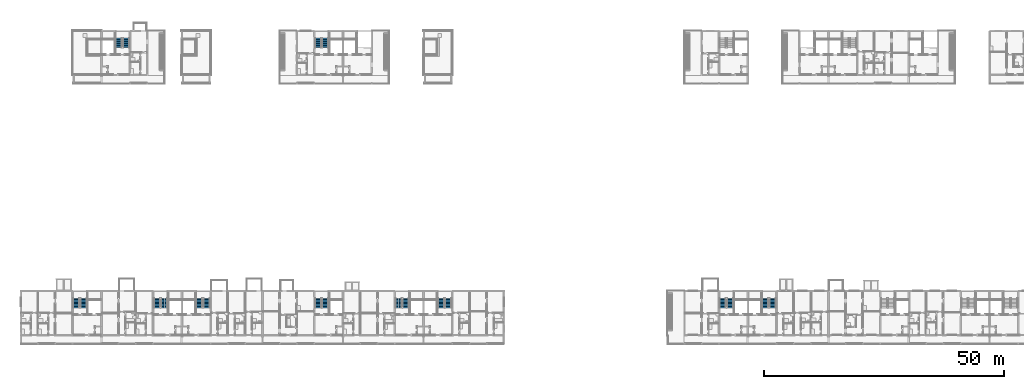
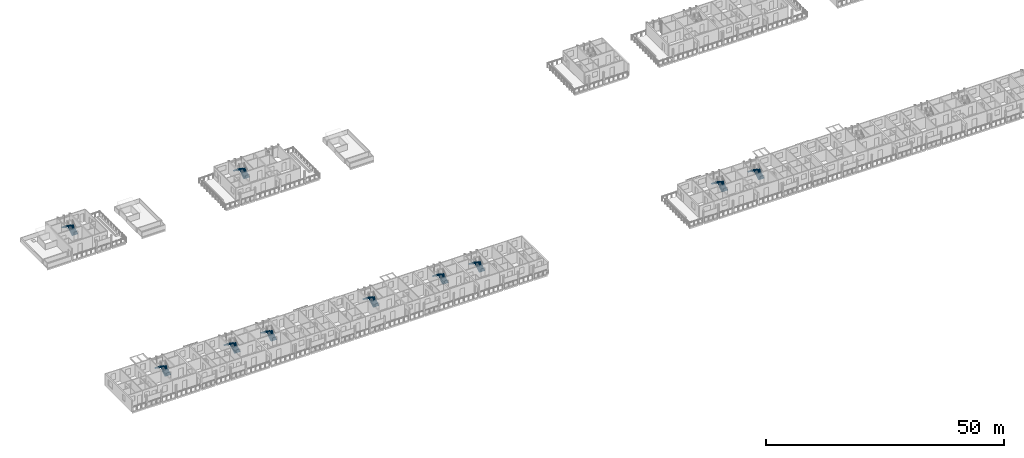
# One storey, part 62 of 87: 20 stair flights, 10 elements without a shape of their own.
"""IFC4 building model written with IfcOpenShell, lengths in metres."""

from ifc_helpers import new_model, si_unit, direction, frame, origin, place, context, subcontext, project, spatial, polyline, outline, extrude, material, type_object, element, aggregate, save


model = new_model("IFC4")

# Units and contexts
model_context = context("Model", 3, precision=1e-05, world=origin(), true_north=direction((0.0, 1.0)))
body_context = subcontext(model_context, "Body", "Model", "MODEL_VIEW")
ifc_project = project(units=[si_unit("LENGTHUNIT", "METRE"), si_unit("AREAUNIT", "SQUARE_METRE"), si_unit("VOLUMEUNIT", "CUBIC_METRE"), si_unit("PLANEANGLEUNIT", "RADIAN"), si_unit("MASSUNIT", "GRAM", prefix="KILO")], contexts=[model_context])

# Site, building, storey
site_placement = place(None, origin())
site = spatial("IfcSite", under=ifc_project, at=site_placement, CompositionType="ELEMENT")
building_placement = place(site_placement, origin())
building = spatial("IfcBuilding", under=site, at=building_placement, Name="Ridgestep Commons", CompositionType="ELEMENT")
storey_placement = place(building_placement, frame((0.0, 0.0, 27.0)))
storey = spatial("IfcBuildingStorey", under=building, at=storey_placement, Name="L09", CompositionType="ELEMENT", Elevation=27.0)

# Stair, stair flights
ifc_material_1 = material(Name="Precast concrete C40/50", Category="concrete")
stair_type = type_object("IfcStairType", Name="Escape stair 1400", PredefinedType="HALF_TURN_STAIR", material=ifc_material_1)
stair_1_placement = place(storey_placement, origin())
stair_1 = element("IfcStair", 1, at=stair_1_placement, inside=storey, type_object=stair_type, Name="L09 Escape stair A1C", PredefinedType="HALF_TURN_STAIR")
ifc_material_2 = material(Name="Precast concrete C40/50", Category="concrete")
stair_flight_type = type_object("IfcStairFlightType", Name="Stair flight 1400", PredefinedType="STRAIGHT", material=ifc_material_2)
stair_flight_1_placement = place(storey_placement, frame((25.125, 19.35009765625, 0.0), z_axis=(0.0, 0.0, 1.0), x_axis=(0.0, 1.0, 0.0)))
stair_flight_1 = element("IfcStairFlight", 2, at=stair_flight_1_placement, type_object=stair_flight_type, Name="A1C flight 1", NumberOfRisers=8, NumberOfTreads=7, PredefinedType="STRAIGHT", RiserHeight=0.1875, TreadLength=0.28, context=body_context, shape_type="SweptSolid", body=[
    extrude(outline(polyline([(0.0, 0.0), (0.0, 0.1875), (0.280029296875, 0.1875), (0.280029296875, 0.375), (0.56005859375, 0.375), (0.56005859375, 0.5625), (0.840087890625, 0.5625), (0.840087890625, 0.75), (1.1201171875, 0.75), (1.1201171875, 0.9375), (1.39990234375, 0.9375), (1.39990234375, 1.125), (1.679931640625, 1.125), (1.679931640625, 1.3125), (1.9599609375, 1.3125), (1.9599609375, 1.5), (1.9599609375, 1.132080078125), (0.26953125, 0.0), (0.0, 0.0)])), frame((0.0, 0.699951171875, 0.0), z_axis=(0.0, -1.0, 0.0), x_axis=(1.0, 0.0, 0.0)), (0.0, 0.0, 1.0), 0.695068359375),
    extrude(outline(polyline([(0.0, 0.0), (0.0, 0.1875), (0.280029296875, 0.1875), (0.280029296875, 0.375), (0.56005859375, 0.375), (0.56005859375, 0.5625), (0.840087890625, 0.5625), (0.840087890625, 0.75), (1.1201171875, 0.75), (1.1201171875, 0.9375), (1.39990234375, 0.9375), (1.39990234375, 1.125), (1.679931640625, 1.125), (1.679931640625, 1.3125), (1.9599609375, 1.3125), (1.9599609375, 1.5), (1.9599609375, 1.132080078125), (0.26953125, 0.0), (0.0, 0.0)])), frame((0.0, -0.0048828125, 0.0), z_axis=(0.0, -1.0, 0.0), x_axis=(1.0, 0.0, 0.0)), (0.0, 0.0, 1.0), 0.695068359375),
])
stair_flight_2_placement = place(storey_placement, frame((23.625, 21.31005859375, 1.5), z_axis=(0.0, 0.0, 1.0), x_axis=(0.0, -1.0, 0.0)))
stair_flight_2 = element("IfcStairFlight", 3, at=stair_flight_2_placement, type_object=stair_flight_type, Name="A1C flight 2", NumberOfRisers=8, NumberOfTreads=7, PredefinedType="STRAIGHT", RiserHeight=0.1875, TreadLength=0.28, context=body_context, shape_type="SweptSolid", body=[
    extrude(outline(polyline([(0.0, 0.0), (0.0, 0.1875), (0.280029296875, 0.1875), (0.280029296875, 0.375), (0.56005859375, 0.375), (0.56005859375, 0.5625), (0.840087890625, 0.5625), (0.840087890625, 0.75), (1.1201171875, 0.75), (1.1201171875, 0.9375), (1.39990234375, 0.9375), (1.39990234375, 1.125), (1.679931640625, 1.125), (1.679931640625, 1.3125), (1.9599609375, 1.3125), (1.9599609375, 1.5), (1.9599609375, 1.132080078125), (0.26953125, 0.0), (0.0, 0.0)])), frame((0.0, 0.699951171875, 0.0), z_axis=(0.0, -1.0, 0.0), x_axis=(1.0, 0.0, 0.0)), (0.0, 0.0, 1.0), 0.695068359375),
    extrude(outline(polyline([(0.0, 0.0), (0.0, 0.1875), (0.280029296875, 0.1875), (0.280029296875, 0.375), (0.56005859375, 0.375), (0.56005859375, 0.5625), (0.840087890625, 0.5625), (0.840087890625, 0.75), (1.1201171875, 0.75), (1.1201171875, 0.9375), (1.39990234375, 0.9375), (1.39990234375, 1.125), (1.679931640625, 1.125), (1.679931640625, 1.3125), (1.9599609375, 1.3125), (1.9599609375, 1.5), (1.9599609375, 1.132080078125), (0.26953125, 0.0), (0.0, 0.0)])), frame((0.0, -0.0048828125, 0.0), z_axis=(0.0, -1.0, 0.0), x_axis=(1.0, 0.0, 0.0)), (0.0, 0.0, 1.0), 0.695068359375),
])
aggregate(stair_1, [stair_flight_1, stair_flight_2])

stair_2_placement = place(storey_placement, origin())
stair_2 = element("IfcStair", 4, at=stair_2_placement, inside=storey, type_object=stair_type, Name="L09 Escape stair A2C", PredefinedType="HALF_TURN_STAIR")
stair_flight_3_placement = place(storey_placement, frame((41.925048828125, 19.35009765625, 0.0), z_axis=(0.0, 0.0, 1.0), x_axis=(0.0, 1.0, 0.0)))
stair_flight_3 = element("IfcStairFlight", 5, at=stair_flight_3_placement, type_object=stair_flight_type, Name="A2C flight 1", NumberOfRisers=8, NumberOfTreads=7, PredefinedType="STRAIGHT", RiserHeight=0.1875, TreadLength=0.28, context=body_context, shape_type="SweptSolid", body=[
    extrude(outline(polyline([(0.0, 0.0), (0.0, 0.1875), (0.280029296875, 0.1875), (0.280029296875, 0.375), (0.56005859375, 0.375), (0.56005859375, 0.5625), (0.840087890625, 0.5625), (0.840087890625, 0.75), (1.1201171875, 0.75), (1.1201171875, 0.9375), (1.39990234375, 0.9375), (1.39990234375, 1.125), (1.679931640625, 1.125), (1.679931640625, 1.3125), (1.9599609375, 1.3125), (1.9599609375, 1.5), (1.9599609375, 1.132080078125), (0.26953125, 0.0), (0.0, 0.0)])), frame((0.0, 0.699951171875, 0.0), z_axis=(0.0, -1.0, 0.0), x_axis=(1.0, 0.0, 0.0)), (0.0, 0.0, 1.0), 0.695068359375),
    extrude(outline(polyline([(0.0, 0.0), (0.0, 0.1875), (0.280029296875, 0.1875), (0.280029296875, 0.375), (0.56005859375, 0.375), (0.56005859375, 0.5625), (0.840087890625, 0.5625), (0.840087890625, 0.75), (1.1201171875, 0.75), (1.1201171875, 0.9375), (1.39990234375, 0.9375), (1.39990234375, 1.125), (1.679931640625, 1.125), (1.679931640625, 1.3125), (1.9599609375, 1.3125), (1.9599609375, 1.5), (1.9599609375, 1.132080078125), (0.26953125, 0.0), (0.0, 0.0)])), frame((0.0, -0.0048828125, 0.0), z_axis=(0.0, -1.0, 0.0), x_axis=(1.0, 0.0, 0.0)), (0.0, 0.0, 1.0), 0.695068359375),
])
stair_flight_4_placement = place(storey_placement, frame((40.425048828125, 21.31005859375, 1.5), z_axis=(0.0, 0.0, 1.0), x_axis=(0.0, -1.0, 0.0)))
stair_flight_4 = element("IfcStairFlight", 6, at=stair_flight_4_placement, type_object=stair_flight_type, Name="A2C flight 2", NumberOfRisers=8, NumberOfTreads=7, PredefinedType="STRAIGHT", RiserHeight=0.1875, TreadLength=0.28, context=body_context, shape_type="SweptSolid", body=[
    extrude(outline(polyline([(0.0, 0.0), (0.0, 0.1875), (0.280029296875, 0.1875), (0.280029296875, 0.375), (0.56005859375, 0.375), (0.56005859375, 0.5625), (0.840087890625, 0.5625), (0.840087890625, 0.75), (1.1201171875, 0.75), (1.1201171875, 0.9375), (1.39990234375, 0.9375), (1.39990234375, 1.125), (1.679931640625, 1.125), (1.679931640625, 1.3125), (1.9599609375, 1.3125), (1.9599609375, 1.5), (1.9599609375, 1.132080078125), (0.26953125, 0.0), (0.0, 0.0)])), frame((0.0, 0.699951171875, 0.0), z_axis=(0.0, -1.0, 0.0), x_axis=(1.0, 0.0, 0.0)), (0.0, 0.0, 1.0), 0.695068359375),
    extrude(outline(polyline([(0.0, 0.0), (0.0, 0.1875), (0.280029296875, 0.1875), (0.280029296875, 0.375), (0.56005859375, 0.375), (0.56005859375, 0.5625), (0.840087890625, 0.5625), (0.840087890625, 0.75), (1.1201171875, 0.75), (1.1201171875, 0.9375), (1.39990234375, 0.9375), (1.39990234375, 1.125), (1.679931640625, 1.125), (1.679931640625, 1.3125), (1.9599609375, 1.3125), (1.9599609375, 1.5), (1.9599609375, 1.132080078125), (0.26953125, 0.0), (0.0, 0.0)])), frame((0.0, -0.0048828125, 0.0), z_axis=(0.0, -1.0, 0.0), x_axis=(1.0, 0.0, 0.0)), (0.0, 0.0, 1.0), 0.695068359375),
])
aggregate(stair_2, [stair_flight_3, stair_flight_4])

stair_3_placement = place(storey_placement, origin())
stair_3 = element("IfcStair", 7, at=stair_3_placement, inside=storey, type_object=stair_type, Name="L09 Escape stair A3C", PredefinedType="HALF_TURN_STAIR")
stair_flight_5_placement = place(storey_placement, frame((50.77490234375, 19.35009765625, 0.0), z_axis=(0.0, 0.0, 1.0), x_axis=(0.0, 1.0, 0.0)))
stair_flight_5 = element("IfcStairFlight", 8, at=stair_flight_5_placement, type_object=stair_flight_type, Name="A3C flight 1", NumberOfRisers=8, NumberOfTreads=7, PredefinedType="STRAIGHT", RiserHeight=0.1875, TreadLength=0.28, context=body_context, shape_type="SweptSolid", body=[
    extrude(outline(polyline([(0.0, 0.0), (0.0, 0.1875), (0.280029296875, 0.1875), (0.280029296875, 0.375), (0.56005859375, 0.375), (0.56005859375, 0.5625), (0.840087890625, 0.5625), (0.840087890625, 0.75), (1.1201171875, 0.75), (1.1201171875, 0.9375), (1.39990234375, 0.9375), (1.39990234375, 1.125), (1.679931640625, 1.125), (1.679931640625, 1.3125), (1.9599609375, 1.3125), (1.9599609375, 1.5), (1.9599609375, 1.132080078125), (0.26953125, 0.0), (0.0, 0.0)])), frame((0.0, 0.699951171875, 0.0), z_axis=(0.0, -1.0, 0.0), x_axis=(1.0, 0.0, 0.0)), (0.0, 0.0, 1.0), 0.695068359375),
    extrude(outline(polyline([(0.0, 0.0), (0.0, 0.1875), (0.280029296875, 0.1875), (0.280029296875, 0.375), (0.56005859375, 0.375), (0.56005859375, 0.5625), (0.840087890625, 0.5625), (0.840087890625, 0.75), (1.1201171875, 0.75), (1.1201171875, 0.9375), (1.39990234375, 0.9375), (1.39990234375, 1.125), (1.679931640625, 1.125), (1.679931640625, 1.3125), (1.9599609375, 1.3125), (1.9599609375, 1.5), (1.9599609375, 1.132080078125), (0.26953125, 0.0), (0.0, 0.0)])), frame((0.0, -0.0048828125, 0.0), z_axis=(0.0, -1.0, 0.0), x_axis=(1.0, 0.0, 0.0)), (0.0, 0.0, 1.0), 0.695068359375),
])
stair_flight_6_placement = place(storey_placement, frame((49.27490234375, 21.31005859375, 1.5), z_axis=(0.0, 0.0, 1.0), x_axis=(0.0, -1.0, 0.0)))
stair_flight_6 = element("IfcStairFlight", 9, at=stair_flight_6_placement, type_object=stair_flight_type, Name="A3C flight 2", NumberOfRisers=8, NumberOfTreads=7, PredefinedType="STRAIGHT", RiserHeight=0.1875, TreadLength=0.28, context=body_context, shape_type="SweptSolid", body=[
    extrude(outline(polyline([(0.0, 0.0), (0.0, 0.1875), (0.280029296875, 0.1875), (0.280029296875, 0.375), (0.56005859375, 0.375), (0.56005859375, 0.5625), (0.840087890625, 0.5625), (0.840087890625, 0.75), (1.1201171875, 0.75), (1.1201171875, 0.9375), (1.39990234375, 0.9375), (1.39990234375, 1.125), (1.679931640625, 1.125), (1.679931640625, 1.3125), (1.9599609375, 1.3125), (1.9599609375, 1.5), (1.9599609375, 1.132080078125), (0.26953125, 0.0), (0.0, 0.0)])), frame((0.0, 0.699951171875, 0.0), z_axis=(0.0, -1.0, 0.0), x_axis=(1.0, 0.0, 0.0)), (0.0, 0.0, 1.0), 0.695068359375),
    extrude(outline(polyline([(0.0, 0.0), (0.0, 0.1875), (0.280029296875, 0.1875), (0.280029296875, 0.375), (0.56005859375, 0.375), (0.56005859375, 0.5625), (0.840087890625, 0.5625), (0.840087890625, 0.75), (1.1201171875, 0.75), (1.1201171875, 0.9375), (1.39990234375, 0.9375), (1.39990234375, 1.125), (1.679931640625, 1.125), (1.679931640625, 1.3125), (1.9599609375, 1.3125), (1.9599609375, 1.5), (1.9599609375, 1.132080078125), (0.26953125, 0.0), (0.0, 0.0)])), frame((0.0, -0.0048828125, 0.0), z_axis=(0.0, -1.0, 0.0), x_axis=(1.0, 0.0, 0.0)), (0.0, 0.0, 1.0), 0.695068359375),
])
aggregate(stair_3, [stair_flight_5, stair_flight_6])

stair_4_placement = place(storey_placement, origin())
stair_4 = element("IfcStair", 10, at=stair_4_placement, inside=storey, type_object=stair_type, Name="L09 Escape stair A4C", PredefinedType="HALF_TURN_STAIR")
stair_flight_7_placement = place(storey_placement, frame((75.52490234375, 19.35009765625, 0.0), z_axis=(0.0, 0.0, 1.0), x_axis=(0.0, 1.0, 0.0)))
stair_flight_7 = element("IfcStairFlight", 11, at=stair_flight_7_placement, type_object=stair_flight_type, Name="A4C flight 1", NumberOfRisers=8, NumberOfTreads=7, PredefinedType="STRAIGHT", RiserHeight=0.1875, TreadLength=0.28, context=body_context, shape_type="SweptSolid", body=[
    extrude(outline(polyline([(0.0, 0.0), (0.0, 0.1875), (0.280029296875, 0.1875), (0.280029296875, 0.375), (0.56005859375, 0.375), (0.56005859375, 0.5625), (0.840087890625, 0.5625), (0.840087890625, 0.75), (1.1201171875, 0.75), (1.1201171875, 0.9375), (1.39990234375, 0.9375), (1.39990234375, 1.125), (1.679931640625, 1.125), (1.679931640625, 1.3125), (1.9599609375, 1.3125), (1.9599609375, 1.5), (1.9599609375, 1.132080078125), (0.26953125, 0.0), (0.0, 0.0)])), frame((0.0, 0.699951171875, 0.0), z_axis=(0.0, -1.0, 0.0), x_axis=(1.0, 0.0, 0.0)), (0.0, 0.0, 1.0), 0.695068359375),
    extrude(outline(polyline([(0.0, 0.0), (0.0, 0.1875), (0.280029296875, 0.1875), (0.280029296875, 0.375), (0.56005859375, 0.375), (0.56005859375, 0.5625), (0.840087890625, 0.5625), (0.840087890625, 0.75), (1.1201171875, 0.75), (1.1201171875, 0.9375), (1.39990234375, 0.9375), (1.39990234375, 1.125), (1.679931640625, 1.125), (1.679931640625, 1.3125), (1.9599609375, 1.3125), (1.9599609375, 1.5), (1.9599609375, 1.132080078125), (0.26953125, 0.0), (0.0, 0.0)])), frame((0.0, -0.0048828125, 0.0), z_axis=(0.0, -1.0, 0.0), x_axis=(1.0, 0.0, 0.0)), (0.0, 0.0, 1.0), 0.695068359375),
])
stair_flight_8_placement = place(storey_placement, frame((74.02490234375, 21.31005859375, 1.5), z_axis=(0.0, 0.0, 1.0), x_axis=(0.0, -1.0, 0.0)))
stair_flight_8 = element("IfcStairFlight", 12, at=stair_flight_8_placement, type_object=stair_flight_type, Name="A4C flight 2", NumberOfRisers=8, NumberOfTreads=7, PredefinedType="STRAIGHT", RiserHeight=0.1875, TreadLength=0.28, context=body_context, shape_type="SweptSolid", body=[
    extrude(outline(polyline([(0.0, 0.0), (0.0, 0.1875), (0.280029296875, 0.1875), (0.280029296875, 0.375), (0.56005859375, 0.375), (0.56005859375, 0.5625), (0.840087890625, 0.5625), (0.840087890625, 0.75), (1.1201171875, 0.75), (1.1201171875, 0.9375), (1.39990234375, 0.9375), (1.39990234375, 1.125), (1.679931640625, 1.125), (1.679931640625, 1.3125), (1.9599609375, 1.3125), (1.9599609375, 1.5), (1.9599609375, 1.132080078125), (0.26953125, 0.0), (0.0, 0.0)])), frame((0.0, 0.699951171875, 0.0), z_axis=(0.0, -1.0, 0.0), x_axis=(1.0, 0.0, 0.0)), (0.0, 0.0, 1.0), 0.695068359375),
    extrude(outline(polyline([(0.0, 0.0), (0.0, 0.1875), (0.280029296875, 0.1875), (0.280029296875, 0.375), (0.56005859375, 0.375), (0.56005859375, 0.5625), (0.840087890625, 0.5625), (0.840087890625, 0.75), (1.1201171875, 0.75), (1.1201171875, 0.9375), (1.39990234375, 0.9375), (1.39990234375, 1.125), (1.679931640625, 1.125), (1.679931640625, 1.3125), (1.9599609375, 1.3125), (1.9599609375, 1.5), (1.9599609375, 1.132080078125), (0.26953125, 0.0), (0.0, 0.0)])), frame((0.0, -0.0048828125, 0.0), z_axis=(0.0, -1.0, 0.0), x_axis=(1.0, 0.0, 0.0)), (0.0, 0.0, 1.0), 0.695068359375),
])
aggregate(stair_4, [stair_flight_7, stair_flight_8])

stair_5_placement = place(storey_placement, origin())
stair_5 = element("IfcStair", 13, at=stair_5_placement, inside=storey, type_object=stair_type, Name="L09 Escape stair A5C", PredefinedType="HALF_TURN_STAIR")
stair_flight_9_placement = place(storey_placement, frame((92.324951171875, 19.35009765625, 0.0), z_axis=(0.0, 0.0, 1.0), x_axis=(0.0, 1.0, 0.0)))
stair_flight_9 = element("IfcStairFlight", 14, at=stair_flight_9_placement, type_object=stair_flight_type, Name="A5C flight 1", NumberOfRisers=8, NumberOfTreads=7, PredefinedType="STRAIGHT", RiserHeight=0.1875, TreadLength=0.28, context=body_context, shape_type="SweptSolid", body=[
    extrude(outline(polyline([(0.0, 0.0), (0.0, 0.1875), (0.280029296875, 0.1875), (0.280029296875, 0.375), (0.56005859375, 0.375), (0.56005859375, 0.5625), (0.840087890625, 0.5625), (0.840087890625, 0.75), (1.1201171875, 0.75), (1.1201171875, 0.9375), (1.39990234375, 0.9375), (1.39990234375, 1.125), (1.679931640625, 1.125), (1.679931640625, 1.3125), (1.9599609375, 1.3125), (1.9599609375, 1.5), (1.9599609375, 1.132080078125), (0.26953125, 0.0), (0.0, 0.0)])), frame((0.0, 0.699951171875, 0.0), z_axis=(0.0, -1.0, 0.0), x_axis=(1.0, 0.0, 0.0)), (0.0, 0.0, 1.0), 0.695068359375),
    extrude(outline(polyline([(0.0, 0.0), (0.0, 0.1875), (0.280029296875, 0.1875), (0.280029296875, 0.375), (0.56005859375, 0.375), (0.56005859375, 0.5625), (0.840087890625, 0.5625), (0.840087890625, 0.75), (1.1201171875, 0.75), (1.1201171875, 0.9375), (1.39990234375, 0.9375), (1.39990234375, 1.125), (1.679931640625, 1.125), (1.679931640625, 1.3125), (1.9599609375, 1.3125), (1.9599609375, 1.5), (1.9599609375, 1.132080078125), (0.26953125, 0.0), (0.0, 0.0)])), frame((0.0, -0.0048828125, 0.0), z_axis=(0.0, -1.0, 0.0), x_axis=(1.0, 0.0, 0.0)), (0.0, 0.0, 1.0), 0.695068359375),
])
stair_flight_10_placement = place(storey_placement, frame((90.824951171875, 21.31005859375, 1.5), z_axis=(0.0, 0.0, 1.0), x_axis=(0.0, -1.0, 0.0)))
stair_flight_10 = element("IfcStairFlight", 15, at=stair_flight_10_placement, type_object=stair_flight_type, Name="A5C flight 2", NumberOfRisers=8, NumberOfTreads=7, PredefinedType="STRAIGHT", RiserHeight=0.1875, TreadLength=0.28, context=body_context, shape_type="SweptSolid", body=[
    extrude(outline(polyline([(0.0, 0.0), (0.0, 0.1875), (0.280029296875, 0.1875), (0.280029296875, 0.375), (0.56005859375, 0.375), (0.56005859375, 0.5625), (0.840087890625, 0.5625), (0.840087890625, 0.75), (1.1201171875, 0.75), (1.1201171875, 0.9375), (1.39990234375, 0.9375), (1.39990234375, 1.125), (1.679931640625, 1.125), (1.679931640625, 1.3125), (1.9599609375, 1.3125), (1.9599609375, 1.5), (1.9599609375, 1.132080078125), (0.26953125, 0.0), (0.0, 0.0)])), frame((0.0, 0.699951171875, 0.0), z_axis=(0.0, -1.0, 0.0), x_axis=(1.0, 0.0, 0.0)), (0.0, 0.0, 1.0), 0.695068359375),
    extrude(outline(polyline([(0.0, 0.0), (0.0, 0.1875), (0.280029296875, 0.1875), (0.280029296875, 0.375), (0.56005859375, 0.375), (0.56005859375, 0.5625), (0.840087890625, 0.5625), (0.840087890625, 0.75), (1.1201171875, 0.75), (1.1201171875, 0.9375), (1.39990234375, 0.9375), (1.39990234375, 1.125), (1.679931640625, 1.125), (1.679931640625, 1.3125), (1.9599609375, 1.3125), (1.9599609375, 1.5), (1.9599609375, 1.132080078125), (0.26953125, 0.0), (0.0, 0.0)])), frame((0.0, -0.0048828125, 0.0), z_axis=(0.0, -1.0, 0.0), x_axis=(1.0, 0.0, 0.0)), (0.0, 0.0, 1.0), 0.695068359375),
])
aggregate(stair_5, [stair_flight_9, stair_flight_10])

stair_6_placement = place(storey_placement, origin())
stair_6 = element("IfcStair", 16, at=stair_6_placement, inside=storey, type_object=stair_type, Name="L09 Escape stair A6C", PredefinedType="HALF_TURN_STAIR")
stair_flight_11_placement = place(storey_placement, frame((101.175048828125, 19.35009765625, 0.0), z_axis=(0.0, 0.0, 1.0), x_axis=(0.0, 1.0, 0.0)))
stair_flight_11 = element("IfcStairFlight", 17, at=stair_flight_11_placement, type_object=stair_flight_type, Name="A6C flight 1", NumberOfRisers=8, NumberOfTreads=7, PredefinedType="STRAIGHT", RiserHeight=0.1875, TreadLength=0.28, context=body_context, shape_type="SweptSolid", body=[
    extrude(outline(polyline([(0.0, 0.0), (0.0, 0.1875), (0.280029296875, 0.1875), (0.280029296875, 0.375), (0.56005859375, 0.375), (0.56005859375, 0.5625), (0.840087890625, 0.5625), (0.840087890625, 0.75), (1.1201171875, 0.75), (1.1201171875, 0.9375), (1.39990234375, 0.9375), (1.39990234375, 1.125), (1.679931640625, 1.125), (1.679931640625, 1.3125), (1.9599609375, 1.3125), (1.9599609375, 1.5), (1.9599609375, 1.132080078125), (0.26953125, 0.0), (0.0, 0.0)])), frame((0.0, 0.699951171875, 0.0), z_axis=(0.0, -1.0, 0.0), x_axis=(1.0, 0.0, 0.0)), (0.0, 0.0, 1.0), 0.695068359375),
    extrude(outline(polyline([(0.0, 0.0), (0.0, 0.1875), (0.280029296875, 0.1875), (0.280029296875, 0.375), (0.56005859375, 0.375), (0.56005859375, 0.5625), (0.840087890625, 0.5625), (0.840087890625, 0.75), (1.1201171875, 0.75), (1.1201171875, 0.9375), (1.39990234375, 0.9375), (1.39990234375, 1.125), (1.679931640625, 1.125), (1.679931640625, 1.3125), (1.9599609375, 1.3125), (1.9599609375, 1.5), (1.9599609375, 1.132080078125), (0.26953125, 0.0), (0.0, 0.0)])), frame((0.0, -0.0048828125, 0.0), z_axis=(0.0, -1.0, 0.0), x_axis=(1.0, 0.0, 0.0)), (0.0, 0.0, 1.0), 0.695068359375),
])
stair_flight_12_placement = place(storey_placement, frame((99.675048828125, 21.31005859375, 1.5), z_axis=(0.0, 0.0, 1.0), x_axis=(0.0, -1.0, 0.0)))
stair_flight_12 = element("IfcStairFlight", 18, at=stair_flight_12_placement, type_object=stair_flight_type, Name="A6C flight 2", NumberOfRisers=8, NumberOfTreads=7, PredefinedType="STRAIGHT", RiserHeight=0.1875, TreadLength=0.28, context=body_context, shape_type="SweptSolid", body=[
    extrude(outline(polyline([(0.0, 0.0), (0.0, 0.1875), (0.280029296875, 0.1875), (0.280029296875, 0.375), (0.56005859375, 0.375), (0.56005859375, 0.5625), (0.840087890625, 0.5625), (0.840087890625, 0.75), (1.1201171875, 0.75), (1.1201171875, 0.9375), (1.39990234375, 0.9375), (1.39990234375, 1.125), (1.679931640625, 1.125), (1.679931640625, 1.3125), (1.9599609375, 1.3125), (1.9599609375, 1.5), (1.9599609375, 1.132080078125), (0.26953125, 0.0), (0.0, 0.0)])), frame((0.0, 0.699951171875, 0.0), z_axis=(0.0, -1.0, 0.0), x_axis=(1.0, 0.0, 0.0)), (0.0, 0.0, 1.0), 0.695068359375),
    extrude(outline(polyline([(0.0, 0.0), (0.0, 0.1875), (0.280029296875, 0.1875), (0.280029296875, 0.375), (0.56005859375, 0.375), (0.56005859375, 0.5625), (0.840087890625, 0.5625), (0.840087890625, 0.75), (1.1201171875, 0.75), (1.1201171875, 0.9375), (1.39990234375, 0.9375), (1.39990234375, 1.125), (1.679931640625, 1.125), (1.679931640625, 1.3125), (1.9599609375, 1.3125), (1.9599609375, 1.5), (1.9599609375, 1.132080078125), (0.26953125, 0.0), (0.0, 0.0)])), frame((0.0, -0.0048828125, 0.0), z_axis=(0.0, -1.0, 0.0), x_axis=(1.0, 0.0, 0.0)), (0.0, 0.0, 1.0), 0.695068359375),
])
aggregate(stair_6, [stair_flight_11, stair_flight_12])

stair_7_placement = place(storey_placement, origin())
stair_7 = element("IfcStair", 19, at=stair_7_placement, inside=storey, type_object=stair_type, Name="L09 Escape stair B2C", PredefinedType="HALF_TURN_STAIR")
stair_flight_13_placement = place(storey_placement, frame((33.97509765625, 73.60009765625, 0.0), z_axis=(0.0, 0.0, 1.0), x_axis=(0.0, 1.0, 0.0)))
stair_flight_13 = element("IfcStairFlight", 20, at=stair_flight_13_placement, type_object=stair_flight_type, Name="B2C flight 1", NumberOfRisers=8, NumberOfTreads=7, PredefinedType="STRAIGHT", RiserHeight=0.1875, TreadLength=0.28, context=body_context, shape_type="SweptSolid", body=[
    extrude(outline(polyline([(0.0, 0.0), (0.0, 0.1875), (0.280029296875, 0.1875), (0.280029296875, 0.375), (0.56005859375, 0.375), (0.56005859375, 0.5625), (0.840087890625, 0.5625), (0.840087890625, 0.75), (1.1201171875, 0.75), (1.1201171875, 0.9375), (1.39990234375, 0.9375), (1.39990234375, 1.125), (1.679931640625, 1.125), (1.679931640625, 1.3125), (1.9599609375, 1.3125), (1.9599609375, 1.5), (1.9599609375, 1.132080078125), (0.26953125, 0.0), (0.0, 0.0)])), frame((0.0, 0.699951171875, 0.0), z_axis=(0.0, -1.0, 0.0), x_axis=(1.0, 0.0, 0.0)), (0.0, 0.0, 1.0), 0.695068359375),
    extrude(outline(polyline([(0.0, 0.0), (0.0, 0.1875), (0.280029296875, 0.1875), (0.280029296875, 0.375), (0.56005859375, 0.375), (0.56005859375, 0.5625), (0.840087890625, 0.5625), (0.840087890625, 0.75), (1.1201171875, 0.75), (1.1201171875, 0.9375), (1.39990234375, 0.9375), (1.39990234375, 1.125), (1.679931640625, 1.125), (1.679931640625, 1.3125), (1.9599609375, 1.3125), (1.9599609375, 1.5), (1.9599609375, 1.132080078125), (0.26953125, 0.0), (0.0, 0.0)])), frame((0.0, -0.0048828125, 0.0), z_axis=(0.0, -1.0, 0.0), x_axis=(1.0, 0.0, 0.0)), (0.0, 0.0, 1.0), 0.695068359375),
])
stair_flight_14_placement = place(storey_placement, frame((32.47509765625, 75.56005859375, 1.5), z_axis=(0.0, 0.0, 1.0), x_axis=(0.0, -1.0, 0.0)))
stair_flight_14 = element("IfcStairFlight", 21, at=stair_flight_14_placement, type_object=stair_flight_type, Name="B2C flight 2", NumberOfRisers=8, NumberOfTreads=7, PredefinedType="STRAIGHT", RiserHeight=0.1875, TreadLength=0.28, context=body_context, shape_type="SweptSolid", body=[
    extrude(outline(polyline([(0.0, 0.0), (0.0, 0.1875), (0.280029296875, 0.1875), (0.280029296875, 0.375), (0.56005859375, 0.375), (0.56005859375, 0.5625), (0.840087890625, 0.5625), (0.840087890625, 0.75), (1.1201171875, 0.75), (1.1201171875, 0.9375), (1.39990234375, 0.9375), (1.39990234375, 1.125), (1.679931640625, 1.125), (1.679931640625, 1.3125), (1.9599609375, 1.3125), (1.9599609375, 1.5), (1.9599609375, 1.132080078125), (0.26953125, 0.0), (0.0, 0.0)])), frame((0.0, 0.699951171875, 0.0), z_axis=(0.0, -1.0, 0.0), x_axis=(1.0, 0.0, 0.0)), (0.0, 0.0, 1.0), 0.695068359375),
    extrude(outline(polyline([(0.0, 0.0), (0.0, 0.1875), (0.280029296875, 0.1875), (0.280029296875, 0.375), (0.56005859375, 0.375), (0.56005859375, 0.5625), (0.840087890625, 0.5625), (0.840087890625, 0.75), (1.1201171875, 0.75), (1.1201171875, 0.9375), (1.39990234375, 0.9375), (1.39990234375, 1.125), (1.679931640625, 1.125), (1.679931640625, 1.3125), (1.9599609375, 1.3125), (1.9599609375, 1.5), (1.9599609375, 1.132080078125), (0.26953125, 0.0), (0.0, 0.0)])), frame((0.0, -0.0048828125, 0.0), z_axis=(0.0, -1.0, 0.0), x_axis=(1.0, 0.0, 0.0)), (0.0, 0.0, 1.0), 0.695068359375),
])
aggregate(stair_7, [stair_flight_13, stair_flight_14])

stair_8_placement = place(storey_placement, origin())
stair_8 = element("IfcStair", 22, at=stair_8_placement, inside=storey, type_object=stair_type, Name="L09 Escape stair B4C", PredefinedType="HALF_TURN_STAIR")
stair_flight_15_placement = place(storey_placement, frame((75.52490234375, 73.60009765625, 0.0), z_axis=(0.0, 0.0, 1.0), x_axis=(0.0, 1.0, 0.0)))
stair_flight_15 = element("IfcStairFlight", 23, at=stair_flight_15_placement, type_object=stair_flight_type, Name="B4C flight 1", NumberOfRisers=8, NumberOfTreads=7, PredefinedType="STRAIGHT", RiserHeight=0.1875, TreadLength=0.28, context=body_context, shape_type="SweptSolid", body=[
    extrude(outline(polyline([(0.0, 0.0), (0.0, 0.1875), (0.280029296875, 0.1875), (0.280029296875, 0.375), (0.56005859375, 0.375), (0.56005859375, 0.5625), (0.840087890625, 0.5625), (0.840087890625, 0.75), (1.1201171875, 0.75), (1.1201171875, 0.9375), (1.39990234375, 0.9375), (1.39990234375, 1.125), (1.679931640625, 1.125), (1.679931640625, 1.3125), (1.9599609375, 1.3125), (1.9599609375, 1.5), (1.9599609375, 1.132080078125), (0.26953125, 0.0), (0.0, 0.0)])), frame((0.0, 0.699951171875, 0.0), z_axis=(0.0, -1.0, 0.0), x_axis=(1.0, 0.0, 0.0)), (0.0, 0.0, 1.0), 0.695068359375),
    extrude(outline(polyline([(0.0, 0.0), (0.0, 0.1875), (0.280029296875, 0.1875), (0.280029296875, 0.375), (0.56005859375, 0.375), (0.56005859375, 0.5625), (0.840087890625, 0.5625), (0.840087890625, 0.75), (1.1201171875, 0.75), (1.1201171875, 0.9375), (1.39990234375, 0.9375), (1.39990234375, 1.125), (1.679931640625, 1.125), (1.679931640625, 1.3125), (1.9599609375, 1.3125), (1.9599609375, 1.5), (1.9599609375, 1.132080078125), (0.26953125, 0.0), (0.0, 0.0)])), frame((0.0, -0.0048828125, 0.0), z_axis=(0.0, -1.0, 0.0), x_axis=(1.0, 0.0, 0.0)), (0.0, 0.0, 1.0), 0.695068359375),
])
stair_flight_16_placement = place(storey_placement, frame((74.02490234375, 75.56005859375, 1.5), z_axis=(0.0, 0.0, 1.0), x_axis=(0.0, -1.0, 0.0)))
stair_flight_16 = element("IfcStairFlight", 24, at=stair_flight_16_placement, type_object=stair_flight_type, Name="B4C flight 2", NumberOfRisers=8, NumberOfTreads=7, PredefinedType="STRAIGHT", RiserHeight=0.1875, TreadLength=0.28, context=body_context, shape_type="SweptSolid", body=[
    extrude(outline(polyline([(0.0, 0.0), (0.0, 0.1875), (0.280029296875, 0.1875), (0.280029296875, 0.375), (0.56005859375, 0.375), (0.56005859375, 0.5625), (0.840087890625, 0.5625), (0.840087890625, 0.75), (1.1201171875, 0.75), (1.1201171875, 0.9375), (1.39990234375, 0.9375), (1.39990234375, 1.125), (1.679931640625, 1.125), (1.679931640625, 1.3125), (1.9599609375, 1.3125), (1.9599609375, 1.5), (1.9599609375, 1.132080078125), (0.26953125, 0.0), (0.0, 0.0)])), frame((0.0, 0.699951171875, 0.0), z_axis=(0.0, -1.0, 0.0), x_axis=(1.0, 0.0, 0.0)), (0.0, 0.0, 1.0), 0.695068359375),
    extrude(outline(polyline([(0.0, 0.0), (0.0, 0.1875), (0.280029296875, 0.1875), (0.280029296875, 0.375), (0.56005859375, 0.375), (0.56005859375, 0.5625), (0.840087890625, 0.5625), (0.840087890625, 0.75), (1.1201171875, 0.75), (1.1201171875, 0.9375), (1.39990234375, 0.9375), (1.39990234375, 1.125), (1.679931640625, 1.125), (1.679931640625, 1.3125), (1.9599609375, 1.3125), (1.9599609375, 1.5), (1.9599609375, 1.132080078125), (0.26953125, 0.0), (0.0, 0.0)])), frame((0.0, -0.0048828125, 0.0), z_axis=(0.0, -1.0, 0.0), x_axis=(1.0, 0.0, 0.0)), (0.0, 0.0, 1.0), 0.695068359375),
])
aggregate(stair_8, [stair_flight_15, stair_flight_16])

stair_9_placement = place(storey_placement, origin())
stair_9 = element("IfcStair", 25, at=stair_9_placement, inside=storey, type_object=stair_type, Name="L09 Escape stair D1C", PredefinedType="HALF_TURN_STAIR")
stair_flight_17_placement = place(storey_placement, frame((159.925048828125, 19.35009765625, 0.0), z_axis=(0.0, 0.0, 1.0), x_axis=(0.0, 1.0, 0.0)))
stair_flight_17 = element("IfcStairFlight", 26, at=stair_flight_17_placement, type_object=stair_flight_type, Name="D1C flight 1", NumberOfRisers=8, NumberOfTreads=7, PredefinedType="STRAIGHT", RiserHeight=0.1875, TreadLength=0.28, context=body_context, shape_type="SweptSolid", body=[
    extrude(outline(polyline([(0.0, 0.0), (0.0, 0.1875), (0.280029296875, 0.1875), (0.280029296875, 0.375), (0.56005859375, 0.375), (0.56005859375, 0.5625), (0.840087890625, 0.5625), (0.840087890625, 0.75), (1.1201171875, 0.75), (1.1201171875, 0.9375), (1.39990234375, 0.9375), (1.39990234375, 1.125), (1.679931640625, 1.125), (1.679931640625, 1.3125), (1.9599609375, 1.3125), (1.9599609375, 1.5), (1.9599609375, 1.132080078125), (0.26953125, 0.0), (0.0, 0.0)])), frame((0.0, 0.699951171875, 0.0), z_axis=(0.0, -1.0, 0.0), x_axis=(1.0, 0.0, 0.0)), (0.0, 0.0, 1.0), 0.695068359375),
    extrude(outline(polyline([(0.0, 0.0), (0.0, 0.1875), (0.280029296875, 0.1875), (0.280029296875, 0.375), (0.56005859375, 0.375), (0.56005859375, 0.5625), (0.840087890625, 0.5625), (0.840087890625, 0.75), (1.1201171875, 0.75), (1.1201171875, 0.9375), (1.39990234375, 0.9375), (1.39990234375, 1.125), (1.679931640625, 1.125), (1.679931640625, 1.3125), (1.9599609375, 1.3125), (1.9599609375, 1.5), (1.9599609375, 1.132080078125), (0.26953125, 0.0), (0.0, 0.0)])), frame((0.0, -0.0048828125, 0.0), z_axis=(0.0, -1.0, 0.0), x_axis=(1.0, 0.0, 0.0)), (0.0, 0.0, 1.0), 0.695068359375),
])
stair_flight_18_placement = place(storey_placement, frame((158.425048828125, 21.31005859375, 1.5), z_axis=(0.0, 0.0, 1.0), x_axis=(0.0, -1.0, 0.0)))
stair_flight_18 = element("IfcStairFlight", 27, at=stair_flight_18_placement, type_object=stair_flight_type, Name="D1C flight 2", NumberOfRisers=8, NumberOfTreads=7, PredefinedType="STRAIGHT", RiserHeight=0.1875, TreadLength=0.28, context=body_context, shape_type="SweptSolid", body=[
    extrude(outline(polyline([(0.0, 0.0), (0.0, 0.1875), (0.280029296875, 0.1875), (0.280029296875, 0.375), (0.56005859375, 0.375), (0.56005859375, 0.5625), (0.840087890625, 0.5625), (0.840087890625, 0.75), (1.1201171875, 0.75), (1.1201171875, 0.9375), (1.39990234375, 0.9375), (1.39990234375, 1.125), (1.679931640625, 1.125), (1.679931640625, 1.3125), (1.9599609375, 1.3125), (1.9599609375, 1.5), (1.9599609375, 1.132080078125), (0.26953125, 0.0), (0.0, 0.0)])), frame((0.0, 0.699951171875, 0.0), z_axis=(0.0, -1.0, 0.0), x_axis=(1.0, 0.0, 0.0)), (0.0, 0.0, 1.0), 0.695068359375),
    extrude(outline(polyline([(0.0, 0.0), (0.0, 0.1875), (0.280029296875, 0.1875), (0.280029296875, 0.375), (0.56005859375, 0.375), (0.56005859375, 0.5625), (0.840087890625, 0.5625), (0.840087890625, 0.75), (1.1201171875, 0.75), (1.1201171875, 0.9375), (1.39990234375, 0.9375), (1.39990234375, 1.125), (1.679931640625, 1.125), (1.679931640625, 1.3125), (1.9599609375, 1.3125), (1.9599609375, 1.5), (1.9599609375, 1.132080078125), (0.26953125, 0.0), (0.0, 0.0)])), frame((0.0, -0.0048828125, 0.0), z_axis=(0.0, -1.0, 0.0), x_axis=(1.0, 0.0, 0.0)), (0.0, 0.0, 1.0), 0.695068359375),
])
aggregate(stair_9, [stair_flight_17, stair_flight_18])

stair_10_placement = place(storey_placement, origin())
stair_10 = element("IfcStair", 28, at=stair_10_placement, inside=storey, type_object=stair_type, Name="L09 Escape stair D2C", PredefinedType="HALF_TURN_STAIR")
stair_flight_19_placement = place(storey_placement, frame((168.77490234375, 19.35009765625, 0.0), z_axis=(0.0, 0.0, 1.0), x_axis=(0.0, 1.0, 0.0)))
stair_flight_19 = element("IfcStairFlight", 29, at=stair_flight_19_placement, type_object=stair_flight_type, Name="D2C flight 1", NumberOfRisers=8, NumberOfTreads=7, PredefinedType="STRAIGHT", RiserHeight=0.1875, TreadLength=0.28, context=body_context, shape_type="SweptSolid", body=[
    extrude(outline(polyline([(0.0, 0.0), (0.0, 0.1875), (0.280029296875, 0.1875), (0.280029296875, 0.375), (0.56005859375, 0.375), (0.56005859375, 0.5625), (0.840087890625, 0.5625), (0.840087890625, 0.75), (1.1201171875, 0.75), (1.1201171875, 0.9375), (1.39990234375, 0.9375), (1.39990234375, 1.125), (1.679931640625, 1.125), (1.679931640625, 1.3125), (1.9599609375, 1.3125), (1.9599609375, 1.5), (1.9599609375, 1.132080078125), (0.26953125, 0.0), (0.0, 0.0)])), frame((0.0, 0.699951171875, 0.0), z_axis=(0.0, -1.0, 0.0), x_axis=(1.0, 0.0, 0.0)), (0.0, 0.0, 1.0), 0.695068359375),
    extrude(outline(polyline([(0.0, 0.0), (0.0, 0.1875), (0.280029296875, 0.1875), (0.280029296875, 0.375), (0.56005859375, 0.375), (0.56005859375, 0.5625), (0.840087890625, 0.5625), (0.840087890625, 0.75), (1.1201171875, 0.75), (1.1201171875, 0.9375), (1.39990234375, 0.9375), (1.39990234375, 1.125), (1.679931640625, 1.125), (1.679931640625, 1.3125), (1.9599609375, 1.3125), (1.9599609375, 1.5), (1.9599609375, 1.132080078125), (0.26953125, 0.0), (0.0, 0.0)])), frame((0.0, -0.0048828125, 0.0), z_axis=(0.0, -1.0, 0.0), x_axis=(1.0, 0.0, 0.0)), (0.0, 0.0, 1.0), 0.695068359375),
])
stair_flight_20_placement = place(storey_placement, frame((167.27490234375, 21.31005859375, 1.5), z_axis=(0.0, 0.0, 1.0), x_axis=(0.0, -1.0, 0.0)))
stair_flight_20 = element("IfcStairFlight", 30, at=stair_flight_20_placement, type_object=stair_flight_type, Name="D2C flight 2", NumberOfRisers=8, NumberOfTreads=7, PredefinedType="STRAIGHT", RiserHeight=0.1875, TreadLength=0.28, context=body_context, shape_type="SweptSolid", body=[
    extrude(outline(polyline([(0.0, 0.0), (0.0, 0.1875), (0.280029296875, 0.1875), (0.280029296875, 0.375), (0.56005859375, 0.375), (0.56005859375, 0.5625), (0.840087890625, 0.5625), (0.840087890625, 0.75), (1.1201171875, 0.75), (1.1201171875, 0.9375), (1.39990234375, 0.9375), (1.39990234375, 1.125), (1.679931640625, 1.125), (1.679931640625, 1.3125), (1.9599609375, 1.3125), (1.9599609375, 1.5), (1.9599609375, 1.132080078125), (0.26953125, 0.0), (0.0, 0.0)])), frame((0.0, 0.699951171875, 0.0), z_axis=(0.0, -1.0, 0.0), x_axis=(1.0, 0.0, 0.0)), (0.0, 0.0, 1.0), 0.695068359375),
    extrude(outline(polyline([(0.0, 0.0), (0.0, 0.1875), (0.280029296875, 0.1875), (0.280029296875, 0.375), (0.56005859375, 0.375), (0.56005859375, 0.5625), (0.840087890625, 0.5625), (0.840087890625, 0.75), (1.1201171875, 0.75), (1.1201171875, 0.9375), (1.39990234375, 0.9375), (1.39990234375, 1.125), (1.679931640625, 1.125), (1.679931640625, 1.3125), (1.9599609375, 1.3125), (1.9599609375, 1.5), (1.9599609375, 1.132080078125), (0.26953125, 0.0), (0.0, 0.0)])), frame((0.0, -0.0048828125, 0.0), z_axis=(0.0, -1.0, 0.0), x_axis=(1.0, 0.0, 0.0)), (0.0, 0.0, 1.0), 0.695068359375),
])
aggregate(stair_10, [stair_flight_19, stair_flight_20])

save(model, "model.ifc")
